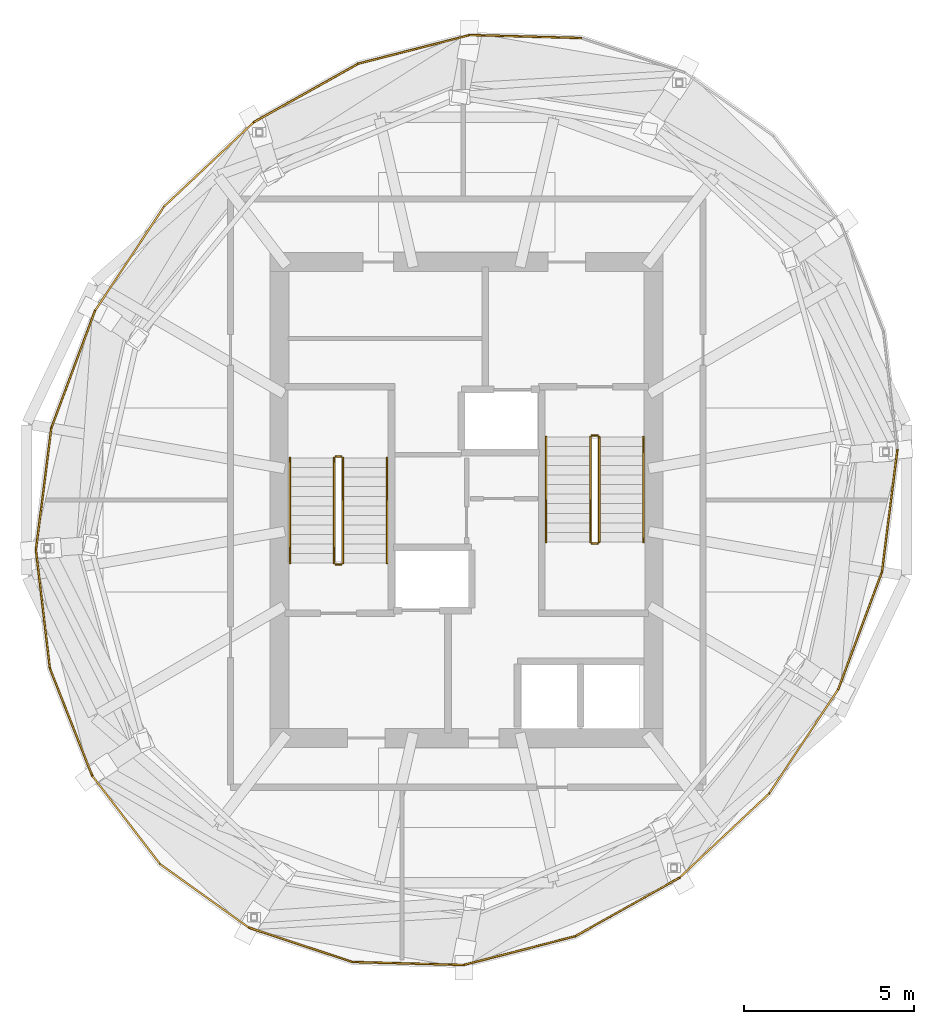
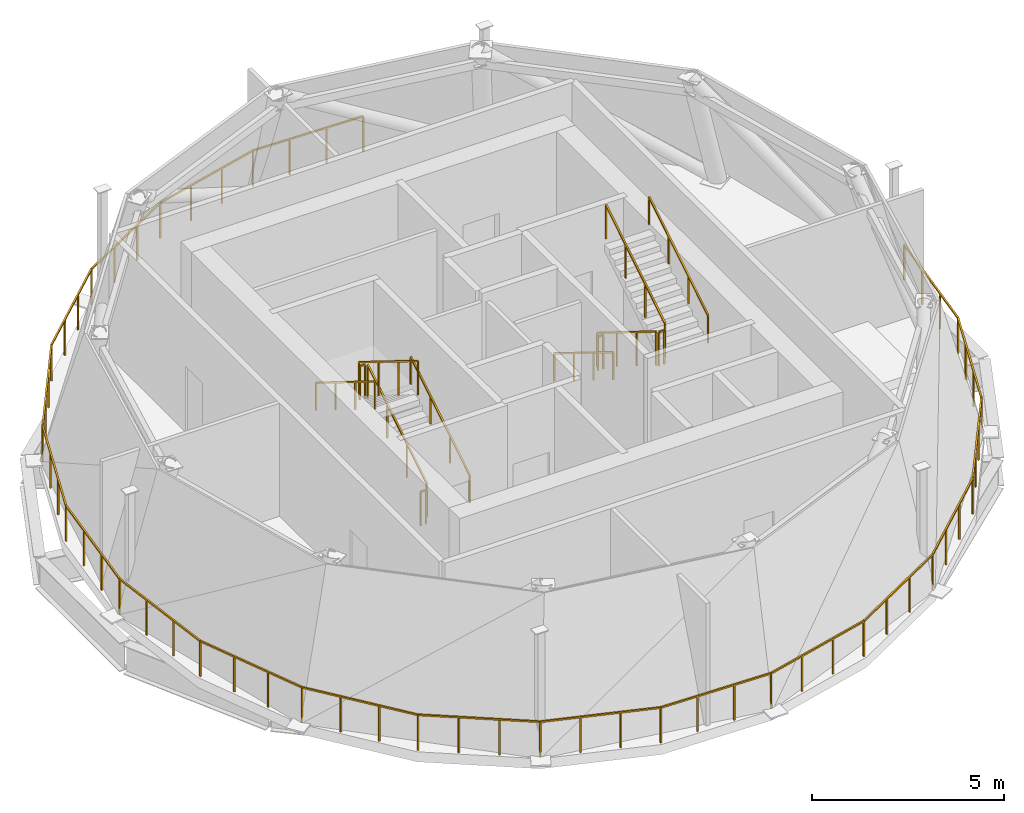
# One storey, part 6 of 7: 31 railings.
"""IFC4 building model written with IfcOpenShell, lengths in metres."""

from ifc_helpers import new_model, si_unit, direction, frame, origin, origin_2d, place, context, subcontext, project, spatial, rectangle, extrude, material, type_object, element, save


model = new_model("IFC4")

# Units and contexts
model_context = context("Model", 3, precision=1e-05, world=origin(), true_north=direction((0.0, 1.0)))
body_context = subcontext(model_context, "Body", "Model", "MODEL_VIEW")
ifc_project = project(units=[si_unit("LENGTHUNIT", "METRE"), si_unit("AREAUNIT", "SQUARE_METRE"), si_unit("VOLUMEUNIT", "CUBIC_METRE"), si_unit("PLANEANGLEUNIT", "RADIAN"), si_unit("MASSUNIT", "GRAM", prefix="KILO")], contexts=[model_context])

# Site, building, storey
site_placement = place(None, origin())
site = spatial("IfcSite", under=ifc_project, at=site_placement, CompositionType="ELEMENT")
building_placement = place(site_placement, origin())
building = spatial("IfcBuilding", under=site, at=building_placement, Name="Veldorim Arch Residences", CompositionType="ELEMENT")
storey_placement = place(building_placement, frame((0.0, 0.0, 251.0400390625)))
storey = spatial("IfcBuildingStorey", under=building, at=storey_placement, Name="L75", CompositionType="ELEMENT", Elevation=251.0400390625)

# Railings
ifc_material_1 = material(Name="Aluminium", Category="aluminium")
railing_type_1 = type_object("IfcRailingType", Name="Balcony & Terrace Laminated Glass Balustrade 1150", PredefinedType="BALUSTRADE", material=ifc_material_1)
railing_1_placement = place(storey_placement, frame((44.67236328125, 25.470703125, 0.0)))
element("IfcRailing", 1, at=railing_1_placement, inside=storey, type_object=railing_type_1, Name="L75 crown plant perimeter safety balustrade 05", PredefinedType="BALUSTRADE", context=body_context, shape_type="SweptSolid", body=[
    extrude(rectangle(XDim=0.048095703125, YDim=0.048095703125, at=origin_2d()), frame((0.0, 0.0, 1.1259765625), z_axis=(-0.125138331479, -0.992139303724, 0.0), x_axis=(0.992139303724, -0.125138331479, 0.0)), (0.0, 0.0, 1.0), 3.62109375),
    extrude(rectangle(XDim=0.0419921875, YDim=0.0419921875, at=origin_2d()), origin(), (0.0, 0.0, 1.0), 1.101806640625),
    extrude(rectangle(XDim=0.0419921875, YDim=0.0419921875, at=origin_2d()), frame((-0.151123046875, -1.197509765625, 0.0)), (0.0, 0.0, 1.0), 1.101806640625),
    extrude(rectangle(XDim=0.0419921875, YDim=0.0419921875, at=origin_2d()), frame((-0.302001953125, -2.39501953125, 0.0)), (0.0, 0.0, 1.0), 1.101806640625),
    extrude(rectangle(XDim=0.0419921875, YDim=0.0419921875, at=origin_2d()), frame((-0.453125, -3.592529296875, 0.0)), (0.0, 0.0, 1.0), 1.101806640625),
])
railing_2_placement = place(storey_placement, frame((44.21923828125, 21.878173828125, 0.0)))
element("IfcRailing", 2, at=railing_2_placement, inside=storey, type_object=railing_type_1, Name="L75 crown plant perimeter safety balustrade 06", PredefinedType="BALUSTRADE", context=body_context, shape_type="SweptSolid", body=[
    extrude(rectangle(XDim=0.048095703125, YDim=0.048095703125, at=origin_2d()), frame((0.0, 0.0, 1.1259765625), z_axis=(-0.349676546361, -0.936870488875, 0.0), x_axis=(0.936870488875, -0.349676546361, 0.0)), (0.0, 0.0, 1.0), 3.680908203125),
    extrude(rectangle(XDim=0.0419921875, YDim=0.0419921875, at=origin_2d()), origin(), (0.0, 0.0, 1.0), 1.101806640625),
    extrude(rectangle(XDim=0.0419921875, YDim=0.0419921875, at=origin_2d()), frame((-0.428955078125, -1.1494140625, 0.0)), (0.0, 0.0, 1.0), 1.101806640625),
    extrude(rectangle(XDim=0.0419921875, YDim=0.0419921875, at=origin_2d()), frame((-0.858154296875, -2.299072265625, 0.0)), (0.0, 0.0, 1.0), 1.101806640625),
    extrude(rectangle(XDim=0.0419921875, YDim=0.0419921875, at=origin_2d()), frame((-1.287109375, -3.448486328125, 0.0)), (0.0, 0.0, 1.0), 1.101806640625),
])
railing_3_placement = place(storey_placement, frame((42.93212890625, 18.4296875, 0.0)))
element("IfcRailing", 3, at=railing_3_placement, inside=storey, type_object=railing_type_1, Name="L75 crown plant perimeter safety balustrade 07", PredefinedType="BALUSTRADE", context=body_context, shape_type="SweptSolid", body=[
    extrude(rectangle(XDim=0.048095703125, YDim=0.048095703125, at=origin_2d()), frame((0.0, 0.0, 1.1259765625), z_axis=(-0.552402021715, -0.833577834641, 0.0), x_axis=(0.833577834641, -0.552402021715, 0.0)), (0.0, 0.0, 1.0), 3.6806640625),
    extrude(rectangle(XDim=0.0419921875, YDim=0.0419921875, at=origin_2d()), origin(), (0.0, 0.0, 1.0), 1.101806640625),
    extrude(rectangle(XDim=0.0419921875, YDim=0.0419921875, at=origin_2d()), frame((-0.677734375, -1.022705078125, 0.0)), (0.0, 0.0, 1.0), 1.101806640625),
    extrude(rectangle(XDim=0.0419921875, YDim=0.0419921875, at=origin_2d()), frame((-1.35546875, -2.04541015625, 0.0)), (0.0, 0.0, 1.0), 1.101806640625),
    extrude(rectangle(XDim=0.0419921875, YDim=0.0419921875, at=origin_2d()), frame((-2.033203125, -3.068115234375, 0.0)), (0.0, 0.0, 1.0), 1.101806640625),
])
railing_4_placement = place(storey_placement, frame((40.89892578125, 15.361572265625, 0.0)))
element("IfcRailing", 4, at=railing_4_placement, inside=storey, type_object=railing_type_1, Name="L75 crown plant perimeter safety balustrade 08", PredefinedType="BALUSTRADE", context=body_context, shape_type="SweptSolid", body=[
    extrude(rectangle(XDim=0.048095703125, YDim=0.048095703125, at=origin_2d()), frame((0.0, 0.0, 1.1259765625), z_axis=(-0.729103929635, -0.684402995166, 0.0), x_axis=(0.684402995166, -0.729103929635, 0.0)), (0.0, 0.0, 1.0), 3.62109375),
    extrude(rectangle(XDim=0.0419921875, YDim=0.0419921875, at=origin_2d()), origin(), (0.0, 0.0, 1.0), 1.101806640625),
    extrude(rectangle(XDim=0.0419921875, YDim=0.0419921875, at=origin_2d()), frame((-0.880126953125, -0.826171875, 0.0)), (0.0, 0.0, 1.0), 1.101806640625),
    extrude(rectangle(XDim=0.0419921875, YDim=0.0419921875, at=origin_2d()), frame((-1.760009765625, -1.652099609375, 0.0)), (0.0, 0.0, 1.0), 1.101806640625),
    extrude(rectangle(XDim=0.0419921875, YDim=0.0419921875, at=origin_2d()), frame((-2.64013671875, -2.478271484375, 0.0)), (0.0, 0.0, 1.0), 1.101806640625),
])
railing_5_placement = place(storey_placement, frame((38.2587890625, 12.88330078125, 0.0)))
element("IfcRailing", 5, at=railing_5_placement, inside=storey, type_object=railing_type_1, Name="L75 crown plant perimeter safety balustrade 09", PredefinedType="BALUSTRADE", context=body_context, shape_type="SweptSolid", body=[
    extrude(rectangle(XDim=0.048095703125, YDim=0.048095703125, at=origin_2d()), frame((0.0, 0.0, 1.1259765625), z_axis=(-0.872227587431, -0.489100230755, 0.0), x_axis=(0.489100230755, -0.872227587431, 0.0)), (0.0, 0.0, 1.0), 3.515625),
    extrude(rectangle(XDim=0.0419921875, YDim=0.0419921875, at=origin_2d()), origin(), (0.0, 0.0, 1.0), 1.101806640625),
    extrude(rectangle(XDim=0.0419921875, YDim=0.0419921875, at=origin_2d()), frame((-1.022216796875, -0.5732421875, 0.0)), (0.0, 0.0, 1.0), 1.101806640625),
    extrude(rectangle(XDim=0.0419921875, YDim=0.0419921875, at=origin_2d()), frame((-2.044189453125, -1.146240234375, 0.0)), (0.0, 0.0, 1.0), 1.101806640625),
    extrude(rectangle(XDim=0.0419921875, YDim=0.0419921875, at=origin_2d()), frame((-3.06640625, -1.719482421875, 0.0)), (0.0, 0.0, 1.0), 1.101806640625),
])
railing_6_placement = place(storey_placement, frame((35.1923828125, 11.163818359375, 0.0)))
element("IfcRailing", 6, at=railing_6_placement, inside=storey, type_object=railing_type_1, Name="L75 crown plant perimeter safety balustrade 10", PredefinedType="BALUSTRADE", context=body_context, shape_type="SweptSolid", body=[
    extrude(rectangle(XDim=0.048095703125, YDim=0.048095703125, at=origin_2d()), frame((0.0, 0.0, 1.1259765625), z_axis=(-0.968480521462, -0.249089300351, 0.0), x_axis=(0.249089300351, -0.968480521462, 0.0)), (0.0, 0.0, 1.0), 3.389404296875),
    extrude(rectangle(XDim=0.0419921875, YDim=0.0419921875, at=origin_2d()), origin(), (0.0, 0.0, 1.0), 1.101806640625),
    extrude(rectangle(XDim=0.0419921875, YDim=0.0419921875, at=origin_2d()), frame((-1.09423828125, -0.281494140625, 0.0)), (0.0, 0.0, 1.0), 1.101806640625),
    extrude(rectangle(XDim=0.0419921875, YDim=0.0419921875, at=origin_2d()), frame((-2.188232421875, -0.562744140625, 0.0)), (0.0, 0.0, 1.0), 1.101806640625),
    extrude(rectangle(XDim=0.0419921875, YDim=0.0419921875, at=origin_2d()), frame((-3.282470703125, -0.84423828125, 0.0)), (0.0, 0.0, 1.0), 1.101806640625),
])
railing_7_placement = place(storey_placement, frame((31.909912109375, 10.319580078125, 0.0)))
element("IfcRailing", 7, at=railing_7_placement, inside=storey, type_object=railing_type_1, Name="L75 crown plant perimeter safety balustrade 11", PredefinedType="BALUSTRADE", context=body_context, shape_type="SweptSolid", body=[
    extrude(rectangle(XDim=0.048095703125, YDim=0.048095703125, at=origin_2d()), frame((0.0, 0.0, 1.1259765625), z_axis=(-0.999640065169, 0.026827972526, 0.0), x_axis=(-0.026827972526, -0.999640065169, 0.0)), (0.0, 0.0, 1.0), 3.276123046875),
    extrude(rectangle(XDim=0.0419921875, YDim=0.0419921875, at=origin_2d()), origin(), (0.0, 0.0, 1.0), 1.101806640625),
    extrude(rectangle(XDim=0.0419921875, YDim=0.0419921875, at=origin_2d()), frame((-1.091552734375, 0.029296875, 0.0)), (0.0, 0.0, 1.0), 1.101806640625),
    extrude(rectangle(XDim=0.0419921875, YDim=0.0419921875, at=origin_2d()), frame((-2.183349609375, 0.05859375, 0.0)), (0.0, 0.0, 1.0), 1.101806640625),
    extrude(rectangle(XDim=0.0419921875, YDim=0.0419921875, at=origin_2d()), frame((-3.27490234375, 0.087890625, 0.0)), (0.0, 0.0, 1.0), 1.101806640625),
])
railing_8_placement = place(storey_placement, frame((28.635009765625, 10.407470703125, 0.0)))
element("IfcRailing", 8, at=railing_8_placement, inside=storey, type_object=railing_type_1, Name="L75 crown plant perimeter safety balustrade 12", PredefinedType="BALUSTRADE", context=body_context, shape_type="SweptSolid", body=[
    extrude(rectangle(XDim=0.048095703125, YDim=0.048095703125, at=origin_2d()), frame((0.0, 0.0, 1.1259765625), z_axis=(-0.948918894387, 0.31552009742, 0.0), x_axis=(-0.31552009742, -0.948918894387, 0.0)), (0.0, 0.0, 1.0), 3.208740234375),
    extrude(rectangle(XDim=0.0419921875, YDim=0.0419921875, at=origin_2d()), origin(), (0.0, 0.0, 1.0), 1.101806640625),
    extrude(rectangle(XDim=0.0419921875, YDim=0.0419921875, at=origin_2d()), frame((-1.014892578125, 0.33740234375, 0.0)), (0.0, 0.0, 1.0), 1.101806640625),
    extrude(rectangle(XDim=0.0419921875, YDim=0.0419921875, at=origin_2d()), frame((-2.030029296875, 0.675048828125, 0.0)), (0.0, 0.0, 1.0), 1.101806640625),
    extrude(rectangle(XDim=0.0419921875, YDim=0.0419921875, at=origin_2d()), frame((-3.044921875, 1.012451171875, 0.0)), (0.0, 0.0, 1.0), 1.101806640625),
])
railing_9_placement = place(storey_placement, frame((25.590087890625, 11.419921875, 0.0)))
element("IfcRailing", 9, at=railing_9_placement, inside=storey, type_object=railing_type_1, Name="L75 crown plant perimeter safety balustrade 13", PredefinedType="BALUSTRADE", context=body_context, shape_type="SweptSolid", body=[
    extrude(rectangle(XDim=0.048095703125, YDim=0.048095703125, at=origin_2d()), frame((0.0, 0.0, 1.1259765625), z_axis=(-0.813044022232, 0.582202213936, 0.0), x_axis=(-0.582202213936, -0.813044022232, 0.0)), (0.0, 0.0, 1.0), 3.208740234375),
    extrude(rectangle(XDim=0.0419921875, YDim=0.0419921875, at=origin_2d()), origin(), (0.0, 0.0, 1.0), 1.101806640625),
    extrude(rectangle(XDim=0.0419921875, YDim=0.0419921875, at=origin_2d()), frame((-0.86962890625, 0.622802734375, 0.0)), (0.0, 0.0, 1.0), 1.101806640625),
    extrude(rectangle(XDim=0.0419921875, YDim=0.0419921875, at=origin_2d()), frame((-1.7392578125, 1.245361328125, 0.0)), (0.0, 0.0, 1.0), 1.101806640625),
    extrude(rectangle(XDim=0.0419921875, YDim=0.0419921875, at=origin_2d()), frame((-2.60888671875, 1.8681640625, 0.0)), (0.0, 0.0, 1.0), 1.101806640625),
])
railing_10_placement = place(storey_placement, frame((22.981201171875, 13.2880859375, 0.0)))
element("IfcRailing", 10, at=railing_10_placement, inside=storey, type_object=railing_type_1, Name="L75 crown plant perimeter safety balustrade 14", PredefinedType="BALUSTRADE", context=body_context, shape_type="SweptSolid", body=[
    extrude(rectangle(XDim=0.048095703125, YDim=0.048095703125, at=origin_2d()), frame((0.0, 0.0, 1.1259765625), z_axis=(-0.609224446762, 0.79299783951, 0.0), x_axis=(-0.79299783951, -0.609224446762, 0.0)), (0.0, 0.0, 1.0), 3.276123046875),
    extrude(rectangle(XDim=0.0419921875, YDim=0.0419921875, at=origin_2d()), origin(), (0.0, 0.0, 1.0), 1.101806640625),
    extrude(rectangle(XDim=0.0419921875, YDim=0.0419921875, at=origin_2d()), frame((-0.665283203125, 0.865966796875, 0.0)), (0.0, 0.0, 1.0), 1.101806640625),
    extrude(rectangle(XDim=0.0419921875, YDim=0.0419921875, at=origin_2d()), frame((-1.33056640625, 1.73193359375, 0.0)), (0.0, 0.0, 1.0), 1.101806640625),
    extrude(rectangle(XDim=0.0419921875, YDim=0.0419921875, at=origin_2d()), frame((-1.995849609375, 2.597900390625, 0.0)), (0.0, 0.0, 1.0), 1.101806640625),
])
railing_11_placement = place(storey_placement, frame((20.9853515625, 15.885986328125, 0.0)))
element("IfcRailing", 11, at=railing_11_placement, inside=storey, type_object=railing_type_1, Name="L75 crown plant perimeter safety balustrade 15", PredefinedType="BALUSTRADE", context=body_context, shape_type="SweptSolid", body=[
    extrude(rectangle(XDim=0.048095703125, YDim=0.048095703125, at=origin_2d()), frame((0.0, 0.0, 1.1259765625), z_axis=(-0.36778637067, 0.929910310487, 0.0), x_axis=(-0.929910310487, -0.36778637067, 0.0)), (0.0, 0.0, 1.0), 3.389404296875),
    extrude(rectangle(XDim=0.0419921875, YDim=0.0419921875, at=origin_2d()), origin(), (0.0, 0.0, 1.0), 1.101806640625),
    extrude(rectangle(XDim=0.0419921875, YDim=0.0419921875, at=origin_2d()), frame((-0.41552734375, 1.050537109375, 0.0)), (0.0, 0.0, 1.0), 1.101806640625),
    extrude(rectangle(XDim=0.0419921875, YDim=0.0419921875, at=origin_2d()), frame((-0.8310546875, 2.101318359375, 0.0)), (0.0, 0.0, 1.0), 1.101806640625),
    extrude(rectangle(XDim=0.0419921875, YDim=0.0419921875, at=origin_2d()), frame((-1.24658203125, 3.15185546875, 0.0)), (0.0, 0.0, 1.0), 1.101806640625),
])
railing_12_placement = place(storey_placement, frame((19.73876953125, 19.037841796875, 0.0)))
element("IfcRailing", 12, at=railing_12_placement, inside=storey, type_object=railing_type_1, Name="L75 crown plant perimeter safety balustrade 16", PredefinedType="BALUSTRADE", context=body_context, shape_type="SweptSolid", body=[
    extrude(rectangle(XDim=0.048095703125, YDim=0.048095703125, at=origin_2d()), frame((0.0, 0.0, 1.1259765625), z_axis=(-0.116946007514, 0.993138274022, 0.0), x_axis=(-0.993138274022, -0.116946007514, 0.0)), (0.0, 0.0, 1.0), 3.515625),
    extrude(rectangle(XDim=0.0419921875, YDim=0.0419921875, at=origin_2d()), origin(), (0.0, 0.0, 1.0), 1.101806640625),
    extrude(rectangle(XDim=0.0419921875, YDim=0.0419921875, at=origin_2d()), frame((-0.136962890625, 1.163818359375, 0.0)), (0.0, 0.0, 1.0), 1.101806640625),
    extrude(rectangle(XDim=0.0419921875, YDim=0.0419921875, at=origin_2d()), frame((-0.274169921875, 2.32763671875, 0.0)), (0.0, 0.0, 1.0), 1.101806640625),
    extrude(rectangle(XDim=0.0419921875, YDim=0.0419921875, at=origin_2d()), frame((-0.4111328125, 3.491455078125, 0.0)), (0.0, 0.0, 1.0), 1.101806640625),
])
railing_13_placement = place(storey_placement, frame((19.32763671875, 22.529296875, 0.0)))
element("IfcRailing", 13, at=railing_13_placement, inside=storey, type_object=railing_type_1, Name="L75 crown plant perimeter safety balustrade 17", PredefinedType="BALUSTRADE", context=body_context, shape_type="SweptSolid", body=[
    extrude(rectangle(XDim=0.048095703125, YDim=0.048095703125, at=origin_2d()), frame((0.0, 0.0, 1.1259765625), z_axis=(0.125138331479, 0.992139303724, 0.0), x_axis=(-0.992139303724, 0.125138331479, 0.0)), (0.0, 0.0, 1.0), 3.62109375),
    extrude(rectangle(XDim=0.0419921875, YDim=0.0419921875, at=origin_2d()), origin(), (0.0, 0.0, 1.0), 1.101806640625),
    extrude(rectangle(XDim=0.0419921875, YDim=0.0419921875, at=origin_2d()), frame((0.151123046875, 1.197509765625, 0.0)), (0.0, 0.0, 1.0), 1.101806640625),
    extrude(rectangle(XDim=0.0419921875, YDim=0.0419921875, at=origin_2d()), frame((0.302001953125, 2.39501953125, 0.0)), (0.0, 0.0, 1.0), 1.101806640625),
    extrude(rectangle(XDim=0.0419921875, YDim=0.0419921875, at=origin_2d()), frame((0.453125, 3.592529296875, 0.0)), (0.0, 0.0, 1.0), 1.101806640625),
])
railing_14_placement = place(storey_placement, frame((19.78076171875, 26.121826171875, 0.0)))
element("IfcRailing", 14, at=railing_14_placement, inside=storey, type_object=railing_type_1, Name="L75 crown plant perimeter safety balustrade 18", PredefinedType="BALUSTRADE", context=body_context, shape_type="SweptSolid", body=[
    extrude(rectangle(XDim=0.048095703125, YDim=0.048095703125, at=origin_2d()), frame((0.0, 0.0, 1.1259765625), z_axis=(0.349676546361, 0.936870488875, 0.0), x_axis=(-0.936870488875, 0.349676546361, 0.0)), (0.0, 0.0, 1.0), 3.680908203125),
    extrude(rectangle(XDim=0.0419921875, YDim=0.0419921875, at=origin_2d()), origin(), (0.0, 0.0, 1.0), 1.101806640625),
    extrude(rectangle(XDim=0.0419921875, YDim=0.0419921875, at=origin_2d()), frame((0.428955078125, 1.1494140625, 0.0)), (0.0, 0.0, 1.0), 1.101806640625),
    extrude(rectangle(XDim=0.0419921875, YDim=0.0419921875, at=origin_2d()), frame((0.858154296875, 2.299072265625, 0.0)), (0.0, 0.0, 1.0), 1.101806640625),
    extrude(rectangle(XDim=0.0419921875, YDim=0.0419921875, at=origin_2d()), frame((1.287109375, 3.448486328125, 0.0)), (0.0, 0.0, 1.0), 1.101806640625),
])
railing_15_placement = place(storey_placement, frame((21.06787109375, 29.5703125, 0.0)))
element("IfcRailing", 15, at=railing_15_placement, inside=storey, type_object=railing_type_1, Name="L75 crown plant perimeter safety balustrade 19", PredefinedType="BALUSTRADE", context=body_context, shape_type="SweptSolid", body=[
    extrude(rectangle(XDim=0.048095703125, YDim=0.048095703125, at=origin_2d()), frame((0.0, 0.0, 1.1259765625), z_axis=(0.552402021715, 0.833577834641, 0.0), x_axis=(-0.833577834641, 0.552402021715, 0.0)), (0.0, 0.0, 1.0), 3.6806640625),
    extrude(rectangle(XDim=0.0419921875, YDim=0.0419921875, at=origin_2d()), origin(), (0.0, 0.0, 1.0), 1.101806640625),
    extrude(rectangle(XDim=0.0419921875, YDim=0.0419921875, at=origin_2d()), frame((0.677734375, 1.022705078125, 0.0)), (0.0, 0.0, 1.0), 1.101806640625),
    extrude(rectangle(XDim=0.0419921875, YDim=0.0419921875, at=origin_2d()), frame((1.35546875, 2.04541015625, 0.0)), (0.0, 0.0, 1.0), 1.101806640625),
    extrude(rectangle(XDim=0.0419921875, YDim=0.0419921875, at=origin_2d()), frame((2.033203125, 3.068115234375, 0.0)), (0.0, 0.0, 1.0), 1.101806640625),
])
railing_16_placement = place(storey_placement, frame((23.10107421875, 32.638427734375, 0.0)))
element("IfcRailing", 16, at=railing_16_placement, inside=storey, type_object=railing_type_1, Name="L75 crown plant perimeter safety balustrade 20", PredefinedType="BALUSTRADE", context=body_context, shape_type="SweptSolid", body=[
    extrude(rectangle(XDim=0.048095703125, YDim=0.048095703125, at=origin_2d()), frame((0.0, 0.0, 1.1259765625), z_axis=(0.729103929635, 0.684402995166, 0.0), x_axis=(-0.684402995166, 0.729103929635, 0.0)), (0.0, 0.0, 1.0), 3.62109375),
    extrude(rectangle(XDim=0.0419921875, YDim=0.0419921875, at=origin_2d()), origin(), (0.0, 0.0, 1.0), 1.101806640625),
    extrude(rectangle(XDim=0.0419921875, YDim=0.0419921875, at=origin_2d()), frame((0.880126953125, 0.826171875, 0.0)), (0.0, 0.0, 1.0), 1.101806640625),
    extrude(rectangle(XDim=0.0419921875, YDim=0.0419921875, at=origin_2d()), frame((1.760009765625, 1.652099609375, 0.0)), (0.0, 0.0, 1.0), 1.101806640625),
    extrude(rectangle(XDim=0.0419921875, YDim=0.0419921875, at=origin_2d()), frame((2.64013671875, 2.478271484375, 0.0)), (0.0, 0.0, 1.0), 1.101806640625),
])
railing_17_placement = place(storey_placement, frame((25.7412109375, 35.11669921875, 0.0)))
element("IfcRailing", 17, at=railing_17_placement, inside=storey, type_object=railing_type_1, Name="L75 crown plant perimeter safety balustrade 21", PredefinedType="BALUSTRADE", context=body_context, shape_type="SweptSolid", body=[
    extrude(rectangle(XDim=0.048095703125, YDim=0.048095703125, at=origin_2d()), frame((0.0, 0.0, 1.1259765625), z_axis=(0.872227587431, 0.489100230755, 0.0), x_axis=(-0.489100230755, 0.872227587431, 0.0)), (0.0, 0.0, 1.0), 3.515625),
    extrude(rectangle(XDim=0.0419921875, YDim=0.0419921875, at=origin_2d()), origin(), (0.0, 0.0, 1.0), 1.101806640625),
    extrude(rectangle(XDim=0.0419921875, YDim=0.0419921875, at=origin_2d()), frame((1.022216796875, 0.5732421875, 0.0)), (0.0, 0.0, 1.0), 1.101806640625),
    extrude(rectangle(XDim=0.0419921875, YDim=0.0419921875, at=origin_2d()), frame((2.044189453125, 1.146240234375, 0.0)), (0.0, 0.0, 1.0), 1.101806640625),
    extrude(rectangle(XDim=0.0419921875, YDim=0.0419921875, at=origin_2d()), frame((3.06640625, 1.719482421875, 0.0)), (0.0, 0.0, 1.0), 1.101806640625),
])
railing_18_placement = place(storey_placement, frame((28.8076171875, 36.836181640625, 0.0)))
element("IfcRailing", 18, at=railing_18_placement, inside=storey, type_object=railing_type_1, Name="L75 crown plant perimeter safety balustrade 22", PredefinedType="BALUSTRADE", context=body_context, shape_type="SweptSolid", body=[
    extrude(rectangle(XDim=0.048095703125, YDim=0.048095703125, at=origin_2d()), frame((0.0, 0.0, 1.1259765625), z_axis=(0.968480521462, 0.249089300351, 0.0), x_axis=(-0.249089300351, 0.968480521462, 0.0)), (0.0, 0.0, 1.0), 3.389404296875),
    extrude(rectangle(XDim=0.0419921875, YDim=0.0419921875, at=origin_2d()), origin(), (0.0, 0.0, 1.0), 1.101806640625),
    extrude(rectangle(XDim=0.0419921875, YDim=0.0419921875, at=origin_2d()), frame((1.09423828125, 0.281494140625, 0.0)), (0.0, 0.0, 1.0), 1.101806640625),
    extrude(rectangle(XDim=0.0419921875, YDim=0.0419921875, at=origin_2d()), frame((2.188232421875, 0.562744140625, 0.0)), (0.0, 0.0, 1.0), 1.101806640625),
    extrude(rectangle(XDim=0.0419921875, YDim=0.0419921875, at=origin_2d()), frame((3.282470703125, 0.84423828125, 0.0)), (0.0, 0.0, 1.0), 1.101806640625),
])
railing_19_placement = place(storey_placement, frame((32.090087890625, 37.680419921875, 0.0)))
element("IfcRailing", 19, at=railing_19_placement, inside=storey, type_object=railing_type_1, Name="L75 crown plant perimeter safety balustrade 23", PredefinedType="BALUSTRADE", context=body_context, shape_type="SweptSolid", body=[
    extrude(rectangle(XDim=0.048095703125, YDim=0.048095703125, at=origin_2d()), frame((0.0, 0.0, 1.1259765625), z_axis=(0.999640065169, -0.026827972526, 0.0), x_axis=(0.026827972526, 0.999640065169, 0.0)), (0.0, 0.0, 1.0), 3.276123046875),
    extrude(rectangle(XDim=0.0419921875, YDim=0.0419921875, at=origin_2d()), origin(), (0.0, 0.0, 1.0), 1.101806640625),
    extrude(rectangle(XDim=0.0419921875, YDim=0.0419921875, at=origin_2d()), frame((1.091552734375, -0.029296875, 0.0)), (0.0, 0.0, 1.0), 1.101806640625),
    extrude(rectangle(XDim=0.0419921875, YDim=0.0419921875, at=origin_2d()), frame((2.183349609375, -0.05859375, 0.0)), (0.0, 0.0, 1.0), 1.101806640625),
    extrude(rectangle(XDim=0.0419921875, YDim=0.0419921875, at=origin_2d()), frame((3.27490234375, -0.087890625, 0.0)), (0.0, 0.0, 1.0), 1.101806640625),
])
ifc_material_2 = material(Name="Steel S355", Category="steel")
railing_type_2 = type_object("IfcRailingType", Name="Galvanised Steel Stair Safety Guardrail 1100", PredefinedType="GUARDRAIL", material=ifc_material_2)
railing_20_placement = place(storey_placement, frame((28.360107421875, 22.14990234375, 0.17333984375)))
element("IfcRailing", 20, at=railing_20_placement, inside=storey, type_object=railing_type_2, Name="L75 ST-1 stair guard 1", PredefinedType="GUARDRAIL", context=body_context, shape_type="SweptSolid", body=[
    extrude(rectangle(XDim=0.048095703125, YDim=0.048095703125, at=origin_2d()), frame((0.0, 0.0, 1.076171875), z_axis=(0.0, 0.850262274078, 0.526359254958), x_axis=(-1.0, 0.0, 0.0)), (0.0, 0.0, 1.0), 3.62255859375),
    extrude(rectangle(XDim=0.0419921875, YDim=0.0419921875, at=origin_2d()), origin(), (0.0, 0.0, 1.0), 1.052001953125),
    extrude(rectangle(XDim=0.0419921875, YDim=0.0419921875, at=origin_2d()), frame((0.0, 1.026611328125, 0.635498046875)), (0.0, 0.0, 1.0), 1.052001953125),
    extrude(rectangle(XDim=0.0419921875, YDim=0.0419921875, at=origin_2d()), frame((0.0, 2.053466796875, 1.271240234375)), (0.0, 0.0, 1.0), 1.052001953125),
    extrude(rectangle(XDim=0.0419921875, YDim=0.0419921875, at=origin_2d()), frame((0.0, 3.080078125, 1.90673828125)), (0.0, 0.0, 1.0), 1.052001953125),
])
railing_21_placement = place(storey_placement, frame((28.31005859375, 25.280029296875, 2.080078125)))
element("IfcRailing", 21, at=railing_21_placement, inside=storey, type_object=railing_type_2, Name="L75 ST-1 stair guard 2", PredefinedType="GUARDRAIL", context=body_context, shape_type="SweptSolid", body=[
    extrude(rectangle(XDim=0.048095703125, YDim=0.048095703125, at=origin_2d()), frame((0.0, 0.0, 1.076171875), z_axis=(-1.0, 0.0, 0.0), x_axis=(0.0, -1.0, 0.0)), (0.0, 0.0, 1.0), 0.16015625),
    extrude(rectangle(XDim=0.0419921875, YDim=0.0419921875, at=origin_2d()), origin(), (0.0, 0.0, 1.0), 1.052001953125),
    extrude(rectangle(XDim=0.0419921875, YDim=0.0419921875, at=origin_2d()), frame((-0.16015625, 0.0, 0.0)), (0.0, 0.0, 1.0), 1.052001953125),
])
railing_22_placement = place(storey_placement, frame((28.10009765625, 25.22998046875, 2.253173828125)))
element("IfcRailing", 22, at=railing_22_placement, inside=storey, type_object=railing_type_2, Name="L75 ST-1 stair guard 3", PredefinedType="GUARDRAIL", context=body_context, shape_type="SweptSolid", body=[
    extrude(rectangle(XDim=0.048095703125, YDim=0.048095703125, at=origin_2d()), frame((0.0, 0.0, 1.076171875), z_axis=(0.0, -0.850262274078, 0.526359254958), x_axis=(1.0, 0.0, 0.0)), (0.0, 0.0, 1.0), 3.62255859375),
    extrude(rectangle(XDim=0.0419921875, YDim=0.0419921875, at=origin_2d()), origin(), (0.0, 0.0, 1.0), 1.052001953125),
    extrude(rectangle(XDim=0.0419921875, YDim=0.0419921875, at=origin_2d()), frame((0.0, -1.026611328125, 0.635498046875)), (0.0, 0.0, 1.0), 1.052001953125),
    extrude(rectangle(XDim=0.0419921875, YDim=0.0419921875, at=origin_2d()), frame((0.0, -2.053466796875, 1.271240234375)), (0.0, 0.0, 1.0), 1.052001953125),
    extrude(rectangle(XDim=0.0419921875, YDim=0.0419921875, at=origin_2d()), frame((0.0, -3.080078125, 1.90673828125)), (0.0, 0.0, 1.0), 1.052001953125),
])
railing_23_placement = place(storey_placement, frame((28.31005859375, 22.10009765625, 0.0)))
element("IfcRailing", 23, at=railing_23_placement, inside=storey, type_object=railing_type_2, Name="L75 ST-1 stair guard 4", PredefinedType="GUARDRAIL", context=body_context, shape_type="SweptSolid", body=[
    extrude(rectangle(XDim=0.048095703125, YDim=0.048095703125, at=origin_2d()), frame((0.0, 0.0, 1.076171875), z_axis=(-1.0, 0.0, 0.0), x_axis=(0.0, -1.0, 0.0)), (0.0, 0.0, 1.0), 0.16015625),
    extrude(rectangle(XDim=0.0419921875, YDim=0.0419921875, at=origin_2d()), origin(), (0.0, 0.0, 1.0), 1.052001953125),
    extrude(rectangle(XDim=0.0419921875, YDim=0.0419921875, at=origin_2d()), frame((-0.16015625, 0.0, 0.0)), (0.0, 0.0, 1.0), 1.052001953125),
])
railing_24_placement = place(storey_placement, frame((35.639892578125, 25.85009765625, 0.17333984375)))
element("IfcRailing", 24, at=railing_24_placement, inside=storey, type_object=railing_type_2, Name="L75 ST-2 stair guard 1", PredefinedType="GUARDRAIL", context=body_context, shape_type="SweptSolid", body=[
    extrude(rectangle(XDim=0.048095703125, YDim=0.048095703125, at=origin_2d()), frame((0.0, 0.0, 1.076171875), z_axis=(0.0, -0.850262274078, 0.526359254958), x_axis=(1.0, 0.0, 0.0)), (0.0, 0.0, 1.0), 3.62255859375),
    extrude(rectangle(XDim=0.0419921875, YDim=0.0419921875, at=origin_2d()), origin(), (0.0, 0.0, 1.0), 1.052001953125),
    extrude(rectangle(XDim=0.0419921875, YDim=0.0419921875, at=origin_2d()), frame((0.0, -1.026611328125, 0.635498046875)), (0.0, 0.0, 1.0), 1.052001953125),
    extrude(rectangle(XDim=0.0419921875, YDim=0.0419921875, at=origin_2d()), frame((0.0, -2.053466796875, 1.271240234375)), (0.0, 0.0, 1.0), 1.052001953125),
    extrude(rectangle(XDim=0.0419921875, YDim=0.0419921875, at=origin_2d()), frame((0.0, -3.080078125, 1.90673828125)), (0.0, 0.0, 1.0), 1.052001953125),
])
railing_25_placement = place(storey_placement, frame((35.68994140625, 22.719970703125, 2.080078125)))
element("IfcRailing", 25, at=railing_25_placement, inside=storey, type_object=railing_type_2, Name="L75 ST-2 stair guard 2", PredefinedType="GUARDRAIL", context=body_context, shape_type="SweptSolid", body=[
    extrude(rectangle(XDim=0.048095703125, YDim=0.048095703125, at=origin_2d()), frame((0.0, 0.0, 1.076171875), z_axis=(1.0, 0.0, 0.0), x_axis=(0.0, 1.0, 0.0)), (0.0, 0.0, 1.0), 0.16015625),
    extrude(rectangle(XDim=0.0419921875, YDim=0.0419921875, at=origin_2d()), origin(), (0.0, 0.0, 1.0), 1.052001953125),
    extrude(rectangle(XDim=0.0419921875, YDim=0.0419921875, at=origin_2d()), frame((0.16015625, 0.0, 0.0)), (0.0, 0.0, 1.0), 1.052001953125),
])
railing_26_placement = place(storey_placement, frame((35.89990234375, 22.77001953125, 2.253173828125)))
element("IfcRailing", 26, at=railing_26_placement, inside=storey, type_object=railing_type_2, Name="L75 ST-2 stair guard 3", PredefinedType="GUARDRAIL", context=body_context, shape_type="SweptSolid", body=[
    extrude(rectangle(XDim=0.048095703125, YDim=0.048095703125, at=origin_2d()), frame((0.0, 0.0, 1.076171875), z_axis=(0.0, 0.850262274078, 0.526359254958), x_axis=(-1.0, 0.0, 0.0)), (0.0, 0.0, 1.0), 3.62255859375),
    extrude(rectangle(XDim=0.0419921875, YDim=0.0419921875, at=origin_2d()), origin(), (0.0, 0.0, 1.0), 1.052001953125),
    extrude(rectangle(XDim=0.0419921875, YDim=0.0419921875, at=origin_2d()), frame((0.0, 1.026611328125, 0.635498046875)), (0.0, 0.0, 1.0), 1.052001953125),
    extrude(rectangle(XDim=0.0419921875, YDim=0.0419921875, at=origin_2d()), frame((0.0, 2.053466796875, 1.271240234375)), (0.0, 0.0, 1.0), 1.052001953125),
    extrude(rectangle(XDim=0.0419921875, YDim=0.0419921875, at=origin_2d()), frame((0.0, 3.080078125, 1.90673828125)), (0.0, 0.0, 1.0), 1.052001953125),
])
railing_27_placement = place(storey_placement, frame((35.68994140625, 25.89990234375, 0.0)))
element("IfcRailing", 27, at=railing_27_placement, inside=storey, type_object=railing_type_2, Name="L75 ST-2 stair guard 4", PredefinedType="GUARDRAIL", context=body_context, shape_type="SweptSolid", body=[
    extrude(rectangle(XDim=0.048095703125, YDim=0.048095703125, at=origin_2d()), frame((0.0, 0.0, 1.076171875), z_axis=(1.0, 0.0, 0.0), x_axis=(0.0, 1.0, 0.0)), (0.0, 0.0, 1.0), 0.16015625),
    extrude(rectangle(XDim=0.0419921875, YDim=0.0419921875, at=origin_2d()), origin(), (0.0, 0.0, 1.0), 1.052001953125),
    extrude(rectangle(XDim=0.0419921875, YDim=0.0419921875, at=origin_2d()), frame((0.16015625, 0.0, 0.0)), (0.0, 0.0, 1.0), 1.052001953125),
])
ifc_material_3 = material(Name="Stainless Steel", Category="steel")
railing_type_3 = type_object("IfcRailingType", Name="Tubular Steel Continuous Wall Handrail 900", PredefinedType="HANDRAIL", material=ifc_material_3)
railing_28_placement = place(storey_placement, frame((29.659912109375, 22.14990234375, 0.17333984375)))
element("IfcRailing", 28, at=railing_28_placement, inside=storey, type_object=railing_type_3, Name="L75 ST-1 stair handrail 1", PredefinedType="HANDRAIL", context=body_context, shape_type="SweptSolid", body=[
    extrude(rectangle(XDim=0.048095703125, YDim=0.048095703125, at=origin_2d()), frame((0.0, 0.0, 0.8759765625), z_axis=(0.0, 0.850262274078, 0.526359254958), x_axis=(-1.0, 0.0, 0.0)), (0.0, 0.0, 1.0), 3.62255859375),
    extrude(rectangle(XDim=0.0419921875, YDim=0.0419921875, at=origin_2d()), origin(), (0.0, 0.0, 1.0), 0.851806640625),
    extrude(rectangle(XDim=0.0419921875, YDim=0.0419921875, at=origin_2d()), frame((0.0, 1.026611328125, 0.635498046875)), (0.0, 0.0, 1.0), 0.851806640625),
    extrude(rectangle(XDim=0.0419921875, YDim=0.0419921875, at=origin_2d()), frame((0.0, 2.053466796875, 1.271240234375)), (0.0, 0.0, 1.0), 0.851806640625),
    extrude(rectangle(XDim=0.0419921875, YDim=0.0419921875, at=origin_2d()), frame((0.0, 3.080078125, 1.90673828125)), (0.0, 0.0, 1.0), 0.851806640625),
])
for number, where, name in (
    (29, (26.800048828125, 25.22998046875, 2.253173828125), "L75 ST-1 stair handrail 2"),
    (30, (34.340087890625, 25.85009765625, 0.17333984375), "L75 ST-2 stair handrail 1"),
):
    element("IfcRailing", number, at=place(storey_placement, frame(where)), inside=storey, type_object=railing_type_3, Name=name, PredefinedType="HANDRAIL", context=body_context, shape_type="SweptSolid", body=[
        extrude(rectangle(XDim=0.048095703125, YDim=0.048095703125, at=origin_2d()), frame((0.0, 0.0, 0.8759765625), z_axis=(0.0, -0.850262274078, 0.526359254958), x_axis=(1.0, 0.0, 0.0)), (0.0, 0.0, 1.0), 3.62255859375),
        extrude(rectangle(XDim=0.0419921875, YDim=0.0419921875, at=origin_2d()), origin(), (0.0, 0.0, 1.0), 0.851806640625),
        extrude(rectangle(XDim=0.0419921875, YDim=0.0419921875, at=origin_2d()), frame((0.0, -1.026611328125, 0.635498046875)), (0.0, 0.0, 1.0), 0.851806640625),
        extrude(rectangle(XDim=0.0419921875, YDim=0.0419921875, at=origin_2d()), frame((0.0, -2.053466796875, 1.271240234375)), (0.0, 0.0, 1.0), 0.851806640625),
        extrude(rectangle(XDim=0.0419921875, YDim=0.0419921875, at=origin_2d()), frame((0.0, -3.080078125, 1.90673828125)), (0.0, 0.0, 1.0), 0.851806640625),
    ])
railing_29_placement = place(storey_placement, frame((37.199951171875, 22.77001953125, 2.253173828125)))
element("IfcRailing", 31, at=railing_29_placement, inside=storey, type_object=railing_type_3, Name="L75 ST-2 stair handrail 2", PredefinedType="HANDRAIL", context=body_context, shape_type="SweptSolid", body=[
    extrude(rectangle(XDim=0.048095703125, YDim=0.048095703125, at=origin_2d()), frame((0.0, 0.0, 0.8759765625), z_axis=(0.0, 0.850262274078, 0.526359254958), x_axis=(-1.0, 0.0, 0.0)), (0.0, 0.0, 1.0), 3.62255859375),
    extrude(rectangle(XDim=0.0419921875, YDim=0.0419921875, at=origin_2d()), origin(), (0.0, 0.0, 1.0), 0.851806640625),
    extrude(rectangle(XDim=0.0419921875, YDim=0.0419921875, at=origin_2d()), frame((0.0, 1.026611328125, 0.635498046875)), (0.0, 0.0, 1.0), 0.851806640625),
    extrude(rectangle(XDim=0.0419921875, YDim=0.0419921875, at=origin_2d()), frame((0.0, 2.053466796875, 1.271240234375)), (0.0, 0.0, 1.0), 0.851806640625),
    extrude(rectangle(XDim=0.0419921875, YDim=0.0419921875, at=origin_2d()), frame((0.0, 3.080078125, 1.90673828125)), (0.0, 0.0, 1.0), 0.851806640625),
])

save(model, "model.ifc")
